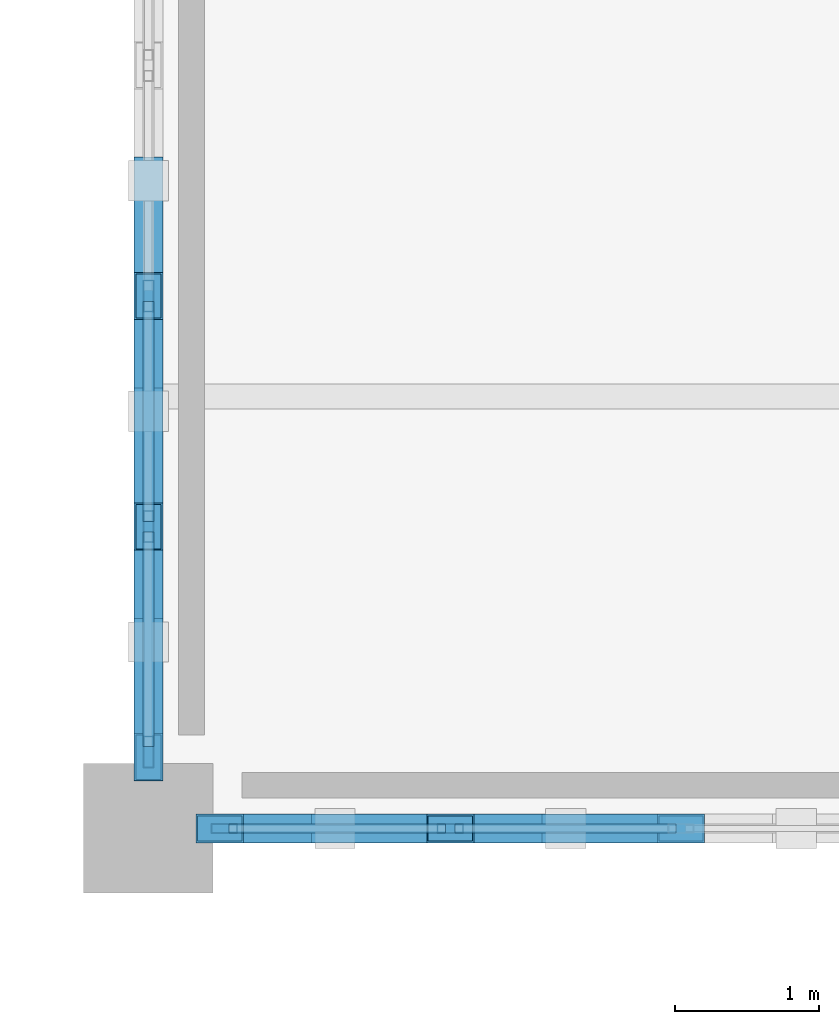
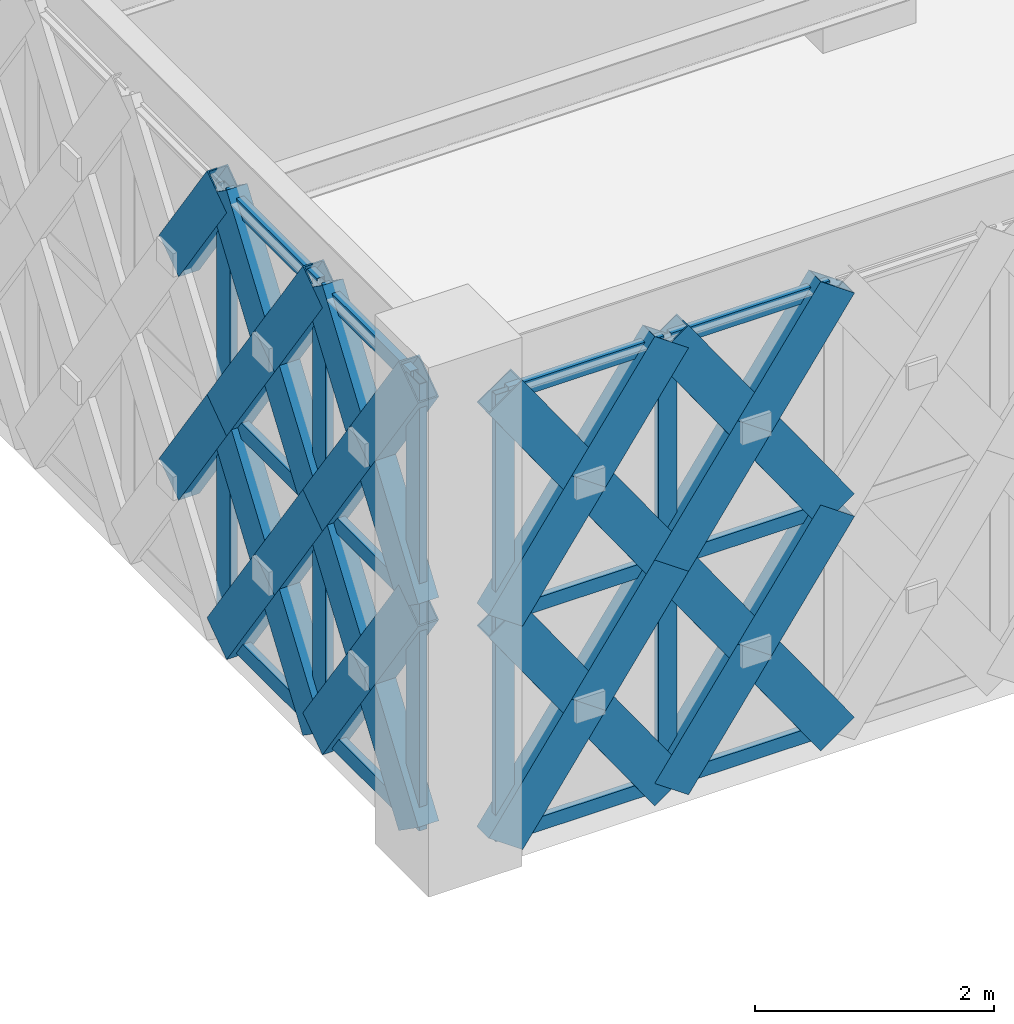
# One storey, part 11 of 155: 43 members, 2 elements without a shape of their own.
"""IFC4 building model written with IfcOpenShell, lengths in metres."""

from ifc_helpers import new_model, si_unit, direction, frame, origin, origin_2d, place, context, subcontext, project, spatial, hollow_rectangle, extrude, material, material_profile, profile_set, type_object, element, aggregate, save


model = new_model("IFC4")

# Units and contexts
model_context = context("Model", 3, precision=1e-05, world=origin(), true_north=direction((0.0, 1.0)))
body_context = subcontext(model_context, "Body", "Model", "MODEL_VIEW")
ifc_project = project(units=[si_unit("LENGTHUNIT", "METRE"), si_unit("AREAUNIT", "SQUARE_METRE"), si_unit("VOLUMEUNIT", "CUBIC_METRE"), si_unit("PLANEANGLEUNIT", "RADIAN"), si_unit("MASSUNIT", "GRAM", prefix="KILO")], contexts=[model_context])

# Site, building, storey
site_placement = place(None, origin())
site = spatial("IfcSite", under=ifc_project, at=site_placement, CompositionType="ELEMENT")
building_placement = place(site_placement, origin())
building = spatial("IfcBuilding", under=site, at=building_placement, Name="Haizhuo Lancet Aquarium", CompositionType="ELEMENT")
storey_placement = place(building_placement, frame((0.0, 0.0, 10.800048828125)))
storey = spatial("IfcBuildingStorey", under=building, at=storey_placement, Name="L02", CompositionType="ELEMENT", Elevation=10.800048828125)

# Curtain wall, members
ifc_material_1 = material(Name="Aluminium 6063-T6", Category="aluminium")
curtain_wall_type = type_object("IfcCurtainWallType", Name="CWD-8010x4560", PredefinedType="NOTDEFINED", material=ifc_material_1)
curtain_wall_1_placement = place(storey_placement, origin())
curtain_wall_1 = element("IfcCurtainWall", 1, at=curtain_wall_1_placement, inside=storey, type_object=curtain_wall_type, Name="L02 curtain wall CW-V6-L02-223", PredefinedType="NOTDEFINED")
ifc_material_profile_1 = material_profile(ifc_material_1, hollow_rectangle(XDim=0.06494140625, YDim=0.179931640625, WallThickness=0.00390625, at=origin_2d()), Name="ALU-M 65x180x4")
ifc_profile_set_1 = profile_set([ifc_material_profile_1], Name="Aluminium 6063-T6")
member_type_1 = type_object("IfcMemberType", Name="CW-MUL-1", PredefinedType="MULLION", material=ifc_profile_set_1)
member_1_placement = place(storey_placement, frame((-51.903076171875, -36.0, 0.0), z_axis=(0.0, 0.0, 1.0), x_axis=(0.0, -1.0, 0.0)))
member_1 = element("IfcMember", 2, at=member_1_placement, type_object=member_type_1, Name="CWD-80x45 mullion 5", PredefinedType="MULLION", context=body_context, shape_type="SweptSolid", body=[
    extrude(hollow_rectangle(XDim=0.06494140625, YDim=0.179931640625, WallThickness=0.00390625, at=origin_2d()), origin(), (0.0, 0.0, 1.0), 4.56005859375),
])
member_2_placement = place(storey_placement, frame((-53.472900390625, -36.0, 0.0), z_axis=(0.0, 0.0, 1.0), x_axis=(0.0, -1.0, 0.0)))
member_2 = element("IfcMember", 3, at=member_2_placement, type_object=member_type_1, Name="CWD-80x45 mullion 6", PredefinedType="MULLION", context=body_context, shape_type="SweptSolid", body=[
    extrude(hollow_rectangle(XDim=0.06494140625, YDim=0.179931640625, WallThickness=0.00390625, at=origin_2d()), origin(), (0.0, 0.0, 1.0), 4.56005859375),
])

curtain_wall_2_placement = place(storey_placement, origin())
curtain_wall_2 = element("IfcCurtainWall", 4, at=curtain_wall_2_placement, inside=storey, type_object=curtain_wall_type, Name="L02 curtain wall CW-V6-L02-224", PredefinedType="NOTDEFINED")
ifc_material_profile_2 = material_profile(ifc_material_1, hollow_rectangle(XDim=0.074951171875, YDim=0.219970703125, WallThickness=0.0048828125, at=origin_2d()), Name="ALU-M 75x220x5")
ifc_profile_set_2 = profile_set([ifc_material_profile_2], Name="Aluminium 6063-T6")
member_type_2 = type_object("IfcMemberType", Name="CW-MUL-2", PredefinedType="MULLION", material=ifc_profile_set_2)
member_3_placement = place(storey_placement, frame((-54.0, -35.468017578125, 0.0), z_axis=(0.0, 0.0, 1.0), x_axis=(-1.0, 0.0, 0.0)))
member_3 = element("IfcMember", 5, at=member_3_placement, type_object=member_type_2, Name="CWD-80x45 mullion 1", PredefinedType="MULLION", context=body_context, shape_type="SweptSolid", body=[
    extrude(hollow_rectangle(XDim=0.074951171875, YDim=0.219970703125, WallThickness=0.0048828125, at=origin_2d()), origin(), (0.0, 0.0, 1.0), 4.56005859375),
])
member_4_placement = place(storey_placement, frame((-54.0, -33.903076171875, 0.0), z_axis=(0.0, 0.0, 1.0), x_axis=(-1.0, 0.0, 0.0)))
member_4 = element("IfcMember", 6, at=member_4_placement, type_object=member_type_2, Name="CWD-80x45 mullion 2", PredefinedType="MULLION", context=body_context, shape_type="SweptSolid", body=[
    extrude(hollow_rectangle(XDim=0.074951171875, YDim=0.219970703125, WallThickness=0.0048828125, at=origin_2d()), origin(), (0.0, 0.0, 1.0), 4.56005859375),
])
member_5_placement = place(storey_placement, frame((-54.0, -32.301025390625, 0.0), z_axis=(0.0, 0.0, 1.0), x_axis=(-1.0, 0.0, 0.0)))
member_5 = element("IfcMember", 7, at=member_5_placement, type_object=member_type_2, Name="CWD-80x45 mullion 3", PredefinedType="MULLION", context=body_context, shape_type="SweptSolid", body=[
    extrude(hollow_rectangle(XDim=0.074951171875, YDim=0.219970703125, WallThickness=0.0048828125, at=origin_2d()), origin(), (0.0, 0.0, 1.0), 4.56005859375),
])

# Member
ifc_material_profile_3 = material_profile(ifc_material_1, hollow_rectangle(XDim=0.06494140625, YDim=0.139892578125, WallThickness=0.00390625, at=origin_2d()), Name="ALU-T 65x140x4")
ifc_profile_set_3 = profile_set([ifc_material_profile_3], Name="Aluminium 6063-T6")
member_type_3 = type_object("IfcMemberType", Name="CW-TRN-1", PredefinedType="NOTDEFINED", material=ifc_profile_set_3)
member_6_placement = place(storey_placement, frame((-50.333984375, -36.0, 0.032958984375), z_axis=(-1.0, 0.0, 0.0), x_axis=(0.0, -1.0, 0.0)))
member_6 = element("IfcMember", 8, at=member_6_placement, type_object=member_type_3, Name="CWD-80x45 transom 4.1", ObjectType="TRANSOM", PredefinedType="USERDEFINED", context=body_context, shape_type="SweptSolid", body=[
    extrude(hollow_rectangle(XDim=0.06494140625, YDim=0.139892578125, WallThickness=0.00390625, at=origin_2d()), origin(), (0.0, 0.0, 1.0), 1.5361328125),
])

member_7_placement = place(storey_placement, frame((-50.333984375, -36.0, 2.280029296875), z_axis=(-1.0, 0.0, 0.0), x_axis=(0.0, -1.0, 0.0)))
member_7 = element("IfcMember", 9, at=member_7_placement, type_object=member_type_3, Name="CWD-80x45 transom 4.2", ObjectType="TRANSOM", PredefinedType="USERDEFINED", context=body_context, shape_type="SweptSolid", body=[
    extrude(hollow_rectangle(XDim=0.06494140625, YDim=0.139892578125, WallThickness=0.00390625, at=origin_2d()), origin(), (0.0, 0.0, 1.0), 1.5361328125),
])

member_8_placement = place(storey_placement, frame((-50.333984375, -36.0, 4.52685546875), z_axis=(-1.0, 0.0, 0.0), x_axis=(0.0, -1.0, 0.0)))
member_8 = element("IfcMember", 10, at=member_8_placement, type_object=member_type_3, Name="CWD-80x45 transom 4.3", ObjectType="TRANSOM", PredefinedType="USERDEFINED", context=body_context, shape_type="SweptSolid", body=[
    extrude(hollow_rectangle(XDim=0.06494140625, YDim=0.139892578125, WallThickness=0.00390625, at=origin_2d()), origin(), (0.0, 0.0, 1.0), 1.5361328125),
])

member_9_placement = place(storey_placement, frame((-51.93603515625, -36.0, 0.032958984375), z_axis=(-1.0, 0.0, 0.0), x_axis=(0.0, -1.0, 0.0)))
member_9 = element("IfcMember", 11, at=member_9_placement, type_object=member_type_3, Name="CWD-80x45 transom 5.1", ObjectType="TRANSOM", PredefinedType="USERDEFINED", context=body_context, shape_type="SweptSolid", body=[
    extrude(hollow_rectangle(XDim=0.06494140625, YDim=0.139892578125, WallThickness=0.00390625, at=origin_2d()), origin(), (0.0, 0.0, 1.0), 1.50390625),
])

member_10_placement = place(storey_placement, frame((-51.93603515625, -36.0, 2.280029296875), z_axis=(-1.0, 0.0, 0.0), x_axis=(0.0, -1.0, 0.0)))
member_10 = element("IfcMember", 12, at=member_10_placement, type_object=member_type_3, Name="CWD-80x45 transom 5.2", ObjectType="TRANSOM", PredefinedType="USERDEFINED", context=body_context, shape_type="SweptSolid", body=[
    extrude(hollow_rectangle(XDim=0.06494140625, YDim=0.139892578125, WallThickness=0.00390625, at=origin_2d()), origin(), (0.0, 0.0, 1.0), 1.50390625),
])

member_11_placement = place(storey_placement, frame((-51.93603515625, -36.0, 4.52685546875), z_axis=(-1.0, 0.0, 0.0), x_axis=(0.0, -1.0, 0.0)))
member_11 = element("IfcMember", 13, at=member_11_placement, type_object=member_type_3, Name="CWD-80x45 transom 5.3", ObjectType="TRANSOM", PredefinedType="USERDEFINED", context=body_context, shape_type="SweptSolid", body=[
    extrude(hollow_rectangle(XDim=0.06494140625, YDim=0.139892578125, WallThickness=0.00390625, at=origin_2d()), origin(), (0.0, 0.0, 1.0), 1.50390625),
])

aggregate(curtain_wall_1, [member_1, member_2, member_6, member_7, member_8, member_9, member_10, member_11])

ifc_material_profile_4 = material_profile(ifc_material_1, hollow_rectangle(XDim=0.074951171875, YDim=0.159912109375, WallThickness=0.00390625, at=origin_2d()), Name="ALU-T 75x160x4")
ifc_profile_set_4 = profile_set([ifc_material_profile_4], Name="Aluminium 6063-T6")
member_type_4 = type_object("IfcMemberType", Name="CW-TRN-2", PredefinedType="NOTDEFINED", material=ifc_profile_set_4)
member_12_placement = place(storey_placement, frame((-54.0, -35.429931640625, 0.037841796875), z_axis=(0.0, 1.0, 0.0), x_axis=(-1.0, 0.0, 0.0)))
member_12 = element("IfcMember", 14, at=member_12_placement, type_object=member_type_4, Name="CWD-80x45 transom 1.1", ObjectType="TRANSOM", PredefinedType="USERDEFINED", context=body_context, shape_type="SweptSolid", body=[
    extrude(hollow_rectangle(XDim=0.074951171875, YDim=0.159912109375, WallThickness=0.00390625, at=origin_2d()), origin(), (0.0, 0.0, 1.0), 1.489013671875),
])

member_13_placement = place(storey_placement, frame((-54.0, -35.429931640625, 2.280029296875), z_axis=(0.0, 1.0, 0.0), x_axis=(-1.0, 0.0, 0.0)))
member_13 = element("IfcMember", 15, at=member_13_placement, type_object=member_type_4, Name="CWD-80x45 transom 1.2", ObjectType="TRANSOM", PredefinedType="USERDEFINED", context=body_context, shape_type="SweptSolid", body=[
    extrude(hollow_rectangle(XDim=0.074951171875, YDim=0.159912109375, WallThickness=0.00390625, at=origin_2d()), origin(), (0.0, 0.0, 1.0), 1.489013671875),
])

member_14_placement = place(storey_placement, frame((-54.0, -35.429931640625, 4.52197265625), z_axis=(0.0, 1.0, 0.0), x_axis=(-1.0, 0.0, 0.0)))
member_14 = element("IfcMember", 16, at=member_14_placement, type_object=member_type_4, Name="CWD-80x45 transom 1.3", ObjectType="TRANSOM", PredefinedType="USERDEFINED", context=body_context, shape_type="SweptSolid", body=[
    extrude(hollow_rectangle(XDim=0.074951171875, YDim=0.159912109375, WallThickness=0.00390625, at=origin_2d()), origin(), (0.0, 0.0, 1.0), 1.489013671875),
])

member_15_placement = place(storey_placement, frame((-54.0, -33.865966796875, 0.037841796875), z_axis=(0.0, 1.0, 0.0), x_axis=(-1.0, 0.0, 0.0)))
member_15 = element("IfcMember", 17, at=member_15_placement, type_object=member_type_4, Name="CWD-80x45 transom 2.1", ObjectType="TRANSOM", PredefinedType="USERDEFINED", context=body_context, shape_type="SweptSolid", body=[
    extrude(hollow_rectangle(XDim=0.074951171875, YDim=0.159912109375, WallThickness=0.00390625, at=origin_2d()), origin(), (0.0, 0.0, 1.0), 1.52685546875),
])

member_16_placement = place(storey_placement, frame((-54.0, -33.865966796875, 2.280029296875), z_axis=(0.0, 1.0, 0.0), x_axis=(-1.0, 0.0, 0.0)))
member_16 = element("IfcMember", 18, at=member_16_placement, type_object=member_type_4, Name="CWD-80x45 transom 2.2", ObjectType="TRANSOM", PredefinedType="USERDEFINED", context=body_context, shape_type="SweptSolid", body=[
    extrude(hollow_rectangle(XDim=0.074951171875, YDim=0.159912109375, WallThickness=0.00390625, at=origin_2d()), origin(), (0.0, 0.0, 1.0), 1.52685546875),
])

member_17_placement = place(storey_placement, frame((-54.0, -33.865966796875, 4.52197265625), z_axis=(0.0, 1.0, 0.0), x_axis=(-1.0, 0.0, 0.0)))
member_17 = element("IfcMember", 19, at=member_17_placement, type_object=member_type_4, Name="CWD-80x45 transom 2.3", ObjectType="TRANSOM", PredefinedType="USERDEFINED", context=body_context, shape_type="SweptSolid", body=[
    extrude(hollow_rectangle(XDim=0.074951171875, YDim=0.159912109375, WallThickness=0.00390625, at=origin_2d()), origin(), (0.0, 0.0, 1.0), 1.52685546875),
])

aggregate(curtain_wall_2, [member_3, member_4, member_5, member_12, member_13, member_14, member_15, member_16, member_17])

# Members
ifc_material_2 = material(Name="Steel S355", Category="steel")
ifc_material_profile_5 = material_profile(ifc_material_2, hollow_rectangle(XDim=0.199951171875, YDim=0.39990234375, WallThickness=0.011962890625, at=origin_2d()), Name="RHS 200x400x12")
ifc_profile_set_5 = profile_set([ifc_material_profile_5], Name="Steel S355")
member_type_5 = type_object("IfcMemberType", Name="MEM-LB-RHS200x400", PredefinedType="BRACE", material=ifc_profile_set_5)
member_18_placement = place(storey_placement, frame((-50.301025390625, -36.0, 0.0), z_axis=(-0.574913812948, 0.0, 0.818213974264), x_axis=(0.0, -1.0, 0.0)))
element("IfcMember", 20, at=member_18_placement, inside=storey, type_object=member_type_5, Name="Gothic lancet continuous diagonal brace CW-V6-L02-223 7A", PredefinedType="BRACE", context=body_context, shape_type="SweptSolid", body=[
    extrude(hollow_rectangle(XDim=0.199951171875, YDim=0.39990234375, WallThickness=0.011962890625, at=origin_2d()), origin(), (0.0, 0.0, 1.0), 2.78662109375),
])
for number, where, z_axis, x_axis, name in (
    (21, (-51.903076171875, -36.0, 0.0), (0.574955028356, 0.0, 0.818185012921), (0.0, 1.0, 0.0), "Gothic lancet split diagonal brace CW-V6-L02-223 7B1"),
    (22, (-51.10205078125, -36.0, 1.139892578125), (0.574872601991, 0.0, 0.81824292938), (0.0, 1.0, 0.0), "Gothic lancet split diagonal brace CW-V6-L02-223 7B2"),
):
    element("IfcMember", number, at=place(storey_placement, frame(where, z_axis=z_axis, x_axis=x_axis)), inside=storey, type_object=member_type_5, Name=name, PredefinedType="BRACE", context=body_context, shape_type="SweptSolid", body=[
        extrude(hollow_rectangle(XDim=0.199951171875, YDim=0.39990234375, WallThickness=0.011962890625, at=origin_2d()), origin(), (0.0, 0.0, 1.0), 1.393310546875),
    ])
member_19_placement = place(storey_placement, frame((-50.301025390625, -36.0, 2.280029296875), z_axis=(-0.574913812948, 0.0, 0.818213974264), x_axis=(0.0, -1.0, 0.0)))
element("IfcMember", 23, at=member_19_placement, inside=storey, type_object=member_type_5, Name="Gothic lancet continuous diagonal brace CW-V6-L02-223 8A", PredefinedType="BRACE", context=body_context, shape_type="SweptSolid", body=[
    extrude(hollow_rectangle(XDim=0.199951171875, YDim=0.39990234375, WallThickness=0.011962890625, at=origin_2d()), origin(), (0.0, 0.0, 1.0), 2.78662109375),
])
for number, where, z_axis, x_axis, name in (
    (24, (-51.903076171875, -36.0, 2.280029296875), (0.574955028356, 0.0, 0.818185012921), (0.0, 1.0, 0.0), "Gothic lancet split diagonal brace CW-V6-L02-223 8B1"),
    (25, (-51.10205078125, -36.0, 3.419921875), (0.574872601991, 0.0, 0.81824292938), (0.0, 1.0, 0.0), "Gothic lancet split diagonal brace CW-V6-L02-223 8B2"),
):
    element("IfcMember", number, at=place(storey_placement, frame(where, z_axis=z_axis, x_axis=x_axis)), inside=storey, type_object=member_type_5, Name=name, PredefinedType="BRACE", context=body_context, shape_type="SweptSolid", body=[
        extrude(hollow_rectangle(XDim=0.199951171875, YDim=0.39990234375, WallThickness=0.011962890625, at=origin_2d()), origin(), (0.0, 0.0, 1.0), 1.393310546875),
    ])
member_20_placement = place(storey_placement, frame((-51.903076171875, -36.0, 0.0), z_axis=(-0.574855154156, 0.0, 0.81825518742), x_axis=(0.0, -1.0, 0.0)))
element("IfcMember", 26, at=member_20_placement, inside=storey, type_object=member_type_5, Name="Gothic lancet continuous diagonal brace CW-V6-L02-223 9A", PredefinedType="BRACE", context=body_context, shape_type="SweptSolid", body=[
    extrude(hollow_rectangle(XDim=0.199951171875, YDim=0.39990234375, WallThickness=0.011962890625, at=origin_2d()), origin(), (0.0, 0.0, 1.0), 2.786376953125),
])
member_21_placement = place(storey_placement, frame((-53.5048828125, -36.0, 0.0), z_axis=(0.5748377018, 0.0, 0.818267448081), x_axis=(0.0, 1.0, 0.0)))
element("IfcMember", 27, at=member_21_placement, inside=storey, type_object=member_type_5, Name="Gothic lancet split diagonal brace CW-V6-L02-223 9B1", PredefinedType="BRACE", context=body_context, shape_type="SweptSolid", body=[
    extrude(hollow_rectangle(XDim=0.199951171875, YDim=0.39990234375, WallThickness=0.011962890625, at=origin_2d()), origin(), (0.0, 0.0, 1.0), 1.39306640625),
])
member_22_placement = place(storey_placement, frame((-52.7041015625, -36.0, 1.139892578125), z_axis=(0.574872601991, 0.0, 0.81824292938), x_axis=(0.0, 1.0, 0.0)))
element("IfcMember", 28, at=member_22_placement, inside=storey, type_object=member_type_5, Name="Gothic lancet split diagonal brace CW-V6-L02-223 9B2", PredefinedType="BRACE", context=body_context, shape_type="SweptSolid", body=[
    extrude(hollow_rectangle(XDim=0.199951171875, YDim=0.39990234375, WallThickness=0.011962890625, at=origin_2d()), origin(), (0.0, 0.0, 1.0), 1.393310546875),
])
member_23_placement = place(storey_placement, frame((-51.903076171875, -36.0, 2.280029296875), z_axis=(-0.574855154156, 0.0, 0.81825518742), x_axis=(0.0, -1.0, 0.0)))
element("IfcMember", 29, at=member_23_placement, inside=storey, type_object=member_type_5, Name="Gothic lancet continuous diagonal brace CW-V6-L02-223 10A", PredefinedType="BRACE", context=body_context, shape_type="SweptSolid", body=[
    extrude(hollow_rectangle(XDim=0.199951171875, YDim=0.39990234375, WallThickness=0.011962890625, at=origin_2d()), origin(), (0.0, 0.0, 1.0), 2.786376953125),
])
member_24_placement = place(storey_placement, frame((-53.5048828125, -36.0, 2.280029296875), z_axis=(0.5748377018, 0.0, 0.818267448081), x_axis=(0.0, 1.0, 0.0)))
element("IfcMember", 30, at=member_24_placement, inside=storey, type_object=member_type_5, Name="Gothic lancet split diagonal brace CW-V6-L02-223 10B1", PredefinedType="BRACE", context=body_context, shape_type="SweptSolid", body=[
    extrude(hollow_rectangle(XDim=0.199951171875, YDim=0.39990234375, WallThickness=0.011962890625, at=origin_2d()), origin(), (0.0, 0.0, 1.0), 1.39306640625),
])
member_25_placement = place(storey_placement, frame((-52.7041015625, -36.0, 3.419921875), z_axis=(0.574872601991, 0.0, 0.81824292938), x_axis=(0.0, 1.0, 0.0)))
element("IfcMember", 31, at=member_25_placement, inside=storey, type_object=member_type_5, Name="Gothic lancet split diagonal brace CW-V6-L02-223 10B2", PredefinedType="BRACE", context=body_context, shape_type="SweptSolid", body=[
    extrude(hollow_rectangle(XDim=0.199951171875, YDim=0.39990234375, WallThickness=0.011962890625, at=origin_2d()), origin(), (0.0, 0.0, 1.0), 1.393310546875),
])
member_26_placement = place(storey_placement, frame((-54.0, -35.5048828125, 0.0), z_axis=(0.0, 0.574855154156, 0.81825518742), x_axis=(-1.0, 0.0, 0.0)))
element("IfcMember", 32, at=member_26_placement, inside=storey, type_object=member_type_5, Name="Gothic lancet continuous diagonal brace CW-V6-L02-224 1A", PredefinedType="BRACE", context=body_context, shape_type="SweptSolid", body=[
    extrude(hollow_rectangle(XDim=0.199951171875, YDim=0.39990234375, WallThickness=0.011962890625, at=origin_2d()), origin(), (0.0, 0.0, 1.0), 2.786376953125),
])
for number, where, z_axis, x_axis, name in (
    (33, (-54.0, -33.903076171875, 0.0), (0.0, -0.574955028356, 0.818185012921), (1.0, 0.0, 0.0), "Gothic lancet split diagonal brace CW-V6-L02-224 1B1"),
    (34, (-54.0, -34.7041015625, 1.139892578125), (0.0, -0.574755275652, 0.818325346736), (1.0, 0.0, 0.0), "Gothic lancet split diagonal brace CW-V6-L02-224 1B2"),
):
    element("IfcMember", number, at=place(storey_placement, frame(where, z_axis=z_axis, x_axis=x_axis)), inside=storey, type_object=member_type_5, Name=name, PredefinedType="BRACE", context=body_context, shape_type="SweptSolid", body=[
        extrude(hollow_rectangle(XDim=0.199951171875, YDim=0.39990234375, WallThickness=0.011962890625, at=origin_2d()), origin(), (0.0, 0.0, 1.0), 1.393310546875),
    ])
member_27_placement = place(storey_placement, frame((-54.0, -35.5048828125, 2.280029296875), z_axis=(0.0, 0.574855154156, 0.81825518742), x_axis=(-1.0, 0.0, 0.0)))
element("IfcMember", 35, at=member_27_placement, inside=storey, type_object=member_type_5, Name="Gothic lancet continuous diagonal brace CW-V6-L02-224 2A", PredefinedType="BRACE", context=body_context, shape_type="SweptSolid", body=[
    extrude(hollow_rectangle(XDim=0.199951171875, YDim=0.39990234375, WallThickness=0.011962890625, at=origin_2d()), origin(), (0.0, 0.0, 1.0), 2.786376953125),
])
for number, where, z_axis, x_axis, name in (
    (36, (-54.0, -33.903076171875, 2.280029296875), (0.0, -0.574955028356, 0.818185012921), (1.0, 0.0, 0.0), "Gothic lancet split diagonal brace CW-V6-L02-224 2B1"),
    (37, (-54.0, -34.7041015625, 3.419921875), (0.0, -0.574755275652, 0.818325346736), (1.0, 0.0, 0.0), "Gothic lancet split diagonal brace CW-V6-L02-224 2B2"),
):
    element("IfcMember", number, at=place(storey_placement, frame(where, z_axis=z_axis, x_axis=x_axis)), inside=storey, type_object=member_type_5, Name=name, PredefinedType="BRACE", context=body_context, shape_type="SweptSolid", body=[
        extrude(hollow_rectangle(XDim=0.199951171875, YDim=0.39990234375, WallThickness=0.011962890625, at=origin_2d()), origin(), (0.0, 0.0, 1.0), 1.393310546875),
    ])
member_28_placement = place(storey_placement, frame((-54.0, -33.903076171875, 0.0), z_axis=(0.0, 0.574913812948, 0.818213974264), x_axis=(-1.0, 0.0, 0.0)))
element("IfcMember", 38, at=member_28_placement, inside=storey, type_object=member_type_5, Name="Gothic lancet continuous diagonal brace CW-V6-L02-224 3A", PredefinedType="BRACE", context=body_context, shape_type="SweptSolid", body=[
    extrude(hollow_rectangle(XDim=0.199951171875, YDim=0.39990234375, WallThickness=0.011962890625, at=origin_2d()), origin(), (0.0, 0.0, 1.0), 2.78662109375),
])
for number, where, z_axis, x_axis, name in (
    (39, (-54.0, -32.301025390625, 0.0), (0.0, -0.574955028356, 0.818185012921), (1.0, 0.0, 0.0), "Gothic lancet split diagonal brace CW-V6-L02-224 3B1"),
    (40, (-54.0, -33.10205078125, 1.139892578125), (0.0, -0.574872601991, 0.81824292938), (1.0, 0.0, 0.0), "Gothic lancet split diagonal brace CW-V6-L02-224 3B2"),
):
    element("IfcMember", number, at=place(storey_placement, frame(where, z_axis=z_axis, x_axis=x_axis)), inside=storey, type_object=member_type_5, Name=name, PredefinedType="BRACE", context=body_context, shape_type="SweptSolid", body=[
        extrude(hollow_rectangle(XDim=0.199951171875, YDim=0.39990234375, WallThickness=0.011962890625, at=origin_2d()), origin(), (0.0, 0.0, 1.0), 1.393310546875),
    ])
member_29_placement = place(storey_placement, frame((-54.0, -33.903076171875, 2.280029296875), z_axis=(0.0, 0.574913812948, 0.818213974264), x_axis=(-1.0, 0.0, 0.0)))
element("IfcMember", 41, at=member_29_placement, inside=storey, type_object=member_type_5, Name="Gothic lancet continuous diagonal brace CW-V6-L02-224 4A", PredefinedType="BRACE", context=body_context, shape_type="SweptSolid", body=[
    extrude(hollow_rectangle(XDim=0.199951171875, YDim=0.39990234375, WallThickness=0.011962890625, at=origin_2d()), origin(), (0.0, 0.0, 1.0), 2.78662109375),
])
for number, where, z_axis, x_axis, name in (
    (42, (-54.0, -32.301025390625, 2.280029296875), (0.0, -0.574955028356, 0.818185012921), (1.0, 0.0, 0.0), "Gothic lancet split diagonal brace CW-V6-L02-224 4B1"),
    (43, (-54.0, -33.10205078125, 3.419921875), (0.0, -0.574872601991, 0.81824292938), (1.0, 0.0, 0.0), "Gothic lancet split diagonal brace CW-V6-L02-224 4B2"),
    (44, (-54.0, -31.5, 1.139892578125), (0.0, -0.574872601991, 0.81824292938), (1.0, 0.0, 0.0), "Gothic lancet split diagonal brace CW-V6-L02-224 5B2"),
    (45, (-54.0, -31.5, 3.419921875), (0.0, -0.574872601991, 0.81824292938), (1.0, 0.0, 0.0), "Gothic lancet split diagonal brace CW-V6-L02-224 6B2"),
):
    element("IfcMember", number, at=place(storey_placement, frame(where, z_axis=z_axis, x_axis=x_axis)), inside=storey, type_object=member_type_5, Name=name, PredefinedType="BRACE", context=body_context, shape_type="SweptSolid", body=[
        extrude(hollow_rectangle(XDim=0.199951171875, YDim=0.39990234375, WallThickness=0.011962890625, at=origin_2d()), origin(), (0.0, 0.0, 1.0), 1.393310546875),
    ])

save(model, "model.ifc")
